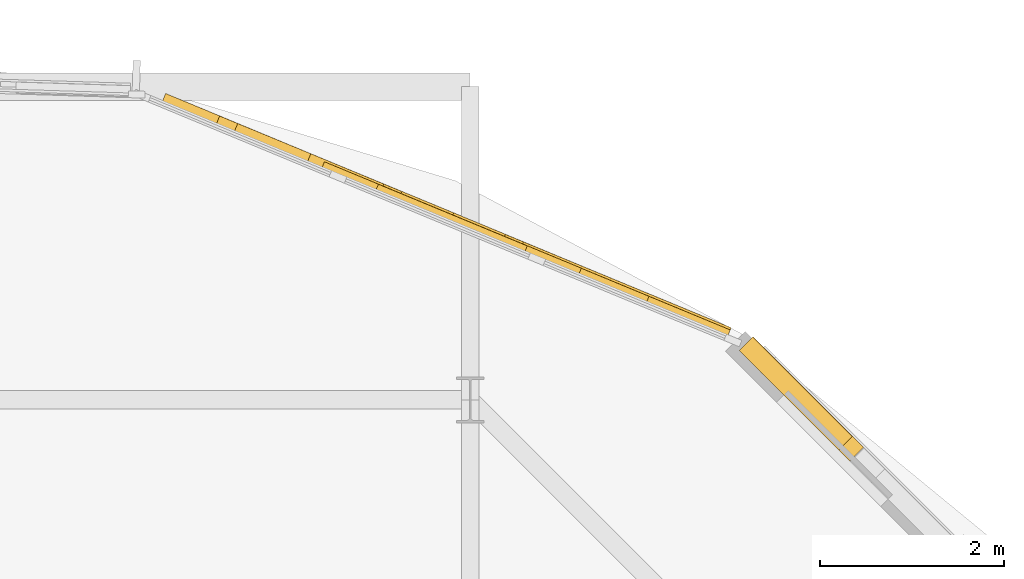
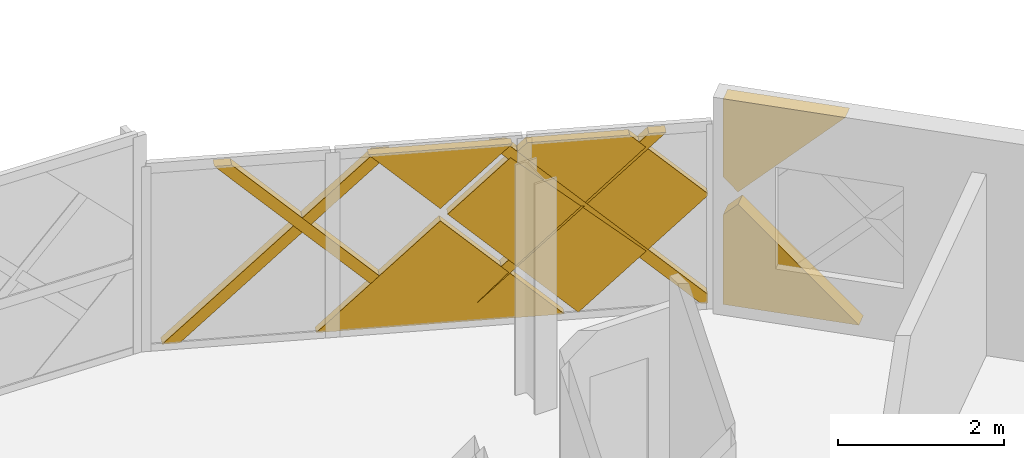
# One storey, part 26 of 26: 9 coverings.
"""IFC4 building model written with IfcOpenShell, lengths in metres."""

from ifc_helpers import new_model, si_unit, direction, frame, origin, place, context, subcontext, project, spatial, polyline, outline, extrude, material, layer, layer_set, type_object, element, save


model = new_model("IFC4")

# Units and contexts
model_context = context("Model", 3, precision=1e-05, world=origin(), true_north=direction((0.0, 1.0)))
body_context = subcontext(model_context, "Body", "Model", "MODEL_VIEW")
ifc_project = project(units=[si_unit("LENGTHUNIT", "METRE"), si_unit("AREAUNIT", "SQUARE_METRE"), si_unit("VOLUMEUNIT", "CUBIC_METRE"), si_unit("PLANEANGLEUNIT", "RADIAN"), si_unit("MASSUNIT", "GRAM", prefix="KILO")], contexts=[model_context])

# Site, building, storey
site_placement = place(None, origin())
site = spatial("IfcSite", under=ifc_project, at=site_placement, CompositionType="ELEMENT")
building_placement = place(site_placement, origin())
building = spatial("IfcBuilding", under=site, at=building_placement, Name="Zevrakil Square Congress Hotel", CompositionType="ELEMENT")
storey_placement = place(building_placement, frame((0.0, 0.0, 24.89990234375)))
storey = spatial("IfcBuildingStorey", under=building, at=storey_placement, Name="L07", CompositionType="ELEMENT", Elevation=24.89990234375)

# Coverings
ifc_material_1 = material(Name="Architectural White Fibre-C GRC", Category="concrete")
ifc_layer_1 = layer(ifc_material_1, 0.06494140625)
ifc_layer_set_1 = layer_set([ifc_layer_1], Name="Architectural White Fibre-C GRC")
covering_type_1 = type_object("IfcCoveringType", Name="COV-DIA-WHITE", PredefinedType="CLADDING", material=ifc_layer_set_1)
covering_1_placement = place(storey_placement, frame((159.201904296875, 46.151611328125, 1.590087890625), z_axis=(0.707131996288, 0.707081337668, 0.000567227862), x_axis=(-0.499977009908, 0.50057976277, -0.706712735606)))
element("IfcCovering", 1, at=covering_1_placement, inside=storey, type_object=covering_type_1, Name="L07 45-degree white GRC diamond facade cassette 2679", PredefinedType="CLADDING", context=body_context, shape_type="SweptSolid", body=[
    extrude(outline(polyline([(0.0, 0.0), (0.2625491266508282, 0.0), (1.1984421489069, -0.9371803251635296), (-0.0010779520727917102, -2.13536493759156), (0.0, 0.0)])), origin(), (0.0, 0.0, -1.0), 0.2099609375),
])
covering_2_placement = place(storey_placement, frame((159.20166015625, 46.151611328125, 1.77001953125), z_axis=(0.707084417988, 0.707128854272, 0.0006397611), x_axis=(0.499708080244, -0.50031640372, 0.707089337148)))
element("IfcCovering", 2, at=covering_2_placement, inside=storey, type_object=covering_type_1, Name="L07 45-degree white GRC diamond facade cassette 2682", PredefinedType="CLADDING", context=body_context, shape_type="SweptSolid", body=[
    extrude(outline(polyline([(0.0, 0.0), (1.8952172673137222, -1.1102230246251565e-16), (0.8163334307326493, -1.0788310054570016), (0.00014212148448736195, -0.2625997288684284), (0.0, 0.0)])), origin(), (0.0, 0.0, -1.0), 0.2099609375),
])
covering_3_placement = place(storey_placement, frame((155.81201171875, 47.606689453125, 1.590087890625), z_axis=(0.382611128731, 0.923909273244, 0.000615618294), x_axis=(-0.653140417013, 0.27095095192, -0.707101956805)))
element("IfcCovering", 3, at=covering_3_placement, inside=storey, type_object=covering_type_1, Name="L07 45-degree white GRC diamond facade cassette 2687", PredefinedType="CLADDING", context=body_context, shape_type="SweptSolid", body=[
    extrude(outline(polyline([(0.0, 0.0), (2.13549085968891, 0.0), (-4.4462938671108176e-05, -2.1355069919827674), (0.0, 0.0)])), origin(), (0.0, 0.0, -1.0), 0.1201171875),
])
covering_4_placement = place(storey_placement, frame((155.895263671875, 47.572265625, 1.68017578125), z_axis=(0.382684106346, 0.92387908249, 0.000561861301), x_axis=(0.653403479247, -0.270219141503, -0.707138960087)))
element("IfcCovering", 4, at=covering_4_placement, inside=storey, type_object=covering_type_1, Name="L07 45-degree white GRC diamond facade cassette 2688", PredefinedType="CLADDING", context=body_context, shape_type="SweptSolid", body=[
    extrude(outline(polyline([(0.0, 0.0), (2.248621491298282, 0.0), (2.24852044642086, -2.234569245255869), (2.2343638559113015, -2.2487245428540272), (0.8838629606656526, -2.248501350759748), (8.421187585250234e-05, -1.364641921749592), (0.0, 0.0)])), origin(), (0.0, 0.0, -1.0), 0.1201171875),
])
covering_5_placement = place(storey_placement, frame((155.81201171875, 47.606689453125, 1.77001953125), z_axis=(0.382692587938, 0.923875434679, 0.000751222426), x_axis=(0.653061563761, -0.271089603809, 0.70712164487)))
element("IfcCovering", 5, at=covering_5_placement, inside=storey, type_object=covering_type_1, Name="L07 45-degree white GRC diamond facade cassette 2689", PredefinedType="CLADDING", context=body_context, shape_type="SweptSolid", body=[
    extrude(outline(polyline([(0.0, 0.0), (1.2374108561765742, -1.1102230246251565e-16), (6.40645563723119e-05, -1.23739951070448), (0.0, 0.0)])), origin(), (0.0, 0.0, -1.0), 0.1201171875),
])
ifc_material_2 = material(Name="Anodised Champagne Aluminium", Category="aluminium")
ifc_layer_2 = layer(ifc_material_2, 0.0849609375)
ifc_layer_set_2 = layer_set([ifc_layer_2], Name="Anodised Champagne Aluminium")
covering_type_2 = type_object("IfcCoveringType", Name="COV-DIAGRID-45", PredefinedType="MOLDING", material=ifc_layer_set_2)
covering_6_placement = place(storey_placement, frame((158.75439453125, 46.416015625, 0.080078125), z_axis=(0.383099949406, 0.923706300134, 0.001048740877), x_axis=(0.923706807876, -0.38310016064, 5.74749e-07)))
element("IfcCovering", 6, at=covering_6_placement, inside=storey, type_object=covering_type_2, Name="L07 45-degree aluminium diagrid rib 2690", PredefinedType="MOLDING", context=body_context, shape_type="SweptSolid", body=[
    extrude(outline(polyline([(0.0, 0.0), (0.0859187583608989, 0.0), (0.0859188309061, -0.12622063371257114), (-2.353033518291191, -2.5649442118418784), (-2.5650416270338723, -2.564944244581437), (0.0, 0.0)])), origin(), (0.0, 0.0, -1.0), 0.14501953125),
])
covering_7_placement = place(storey_placement, frame((155.650146484375, 47.701904296875, 0.080078125), z_axis=(0.382775313681, 0.923841170613, 0.00074210249), x_axis=(0.923841424935, -0.38277541924, 2.30946e-07)))
element("IfcCovering", 7, at=covering_7_placement, inside=storey, type_object=covering_type_2, Name="L07 45-degree aluminium diagrid rib 2691", PredefinedType="MOLDING", context=body_context, shape_type="SweptSolid", body=[
    extrude(outline(polyline([(0.0, 0.0), (0.212233612995502, 0.0), (-2.3530352146534197, -2.5649426559511785), (-2.564949829395949, -2.5649427539064207), (0.0, 0.0)])), origin(), (0.0, 0.0, -1.0), 0.14501953125),
])
covering_8_placement = place(storey_placement, frame((158.363037109375, 46.576416015625, 2.64501953125), z_axis=(0.383062899518, 0.923722247185, 0.000158327646), x_axis=(-0.923722258763, 0.383062904319, 0.0)))
element("IfcCovering", 8, at=covering_8_placement, inside=storey, type_object=covering_type_2, Name="L07 45-degree aluminium diagrid rib 2692", PredefinedType="MOLDING", context=body_context, shape_type="SweptSolid", body=[
    extrude(outline(polyline([(0.0, 0.0), (0.21223362327273487, -1.6940658945086007e-21), (2.7771779718632956, -2.564941438398519), (2.5649443485905605, -2.564941438398519), (0.0, 0.0)])), origin(), (0.0, 0.0, -1.0), 0.14501953125),
])
covering_9_placement = place(storey_placement, frame((155.2587890625, 47.8623046875, 2.64501953125), z_axis=(0.382571868404, 0.923925444596, 0.000733713276), x_axis=(-0.923925693396, 0.382571971115, 3.90077e-07)))
element("IfcCovering", 9, at=covering_9_placement, inside=storey, type_object=covering_type_2, Name="L07 45-degree aluminium diagrid rib 2693", PredefinedType="MOLDING", context=body_context, shape_type="SweptSolid", body=[
    extrude(outline(polyline([(0.0, 0.0), (0.21214019194508305, 2.0328790734103208e-20), (2.777176363391386, -2.5649431799626248), (2.564942770086168, -2.564943014424104), (0.0, 0.0)])), origin(), (0.0, 0.0, -1.0), 0.14501953125),
])

save(model, "model.ifc")
